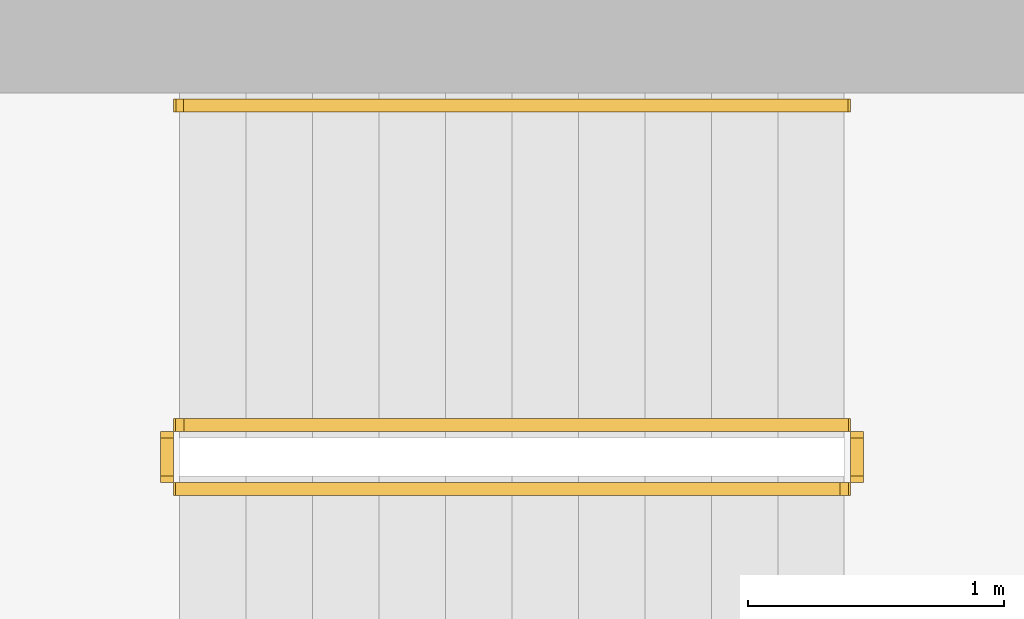
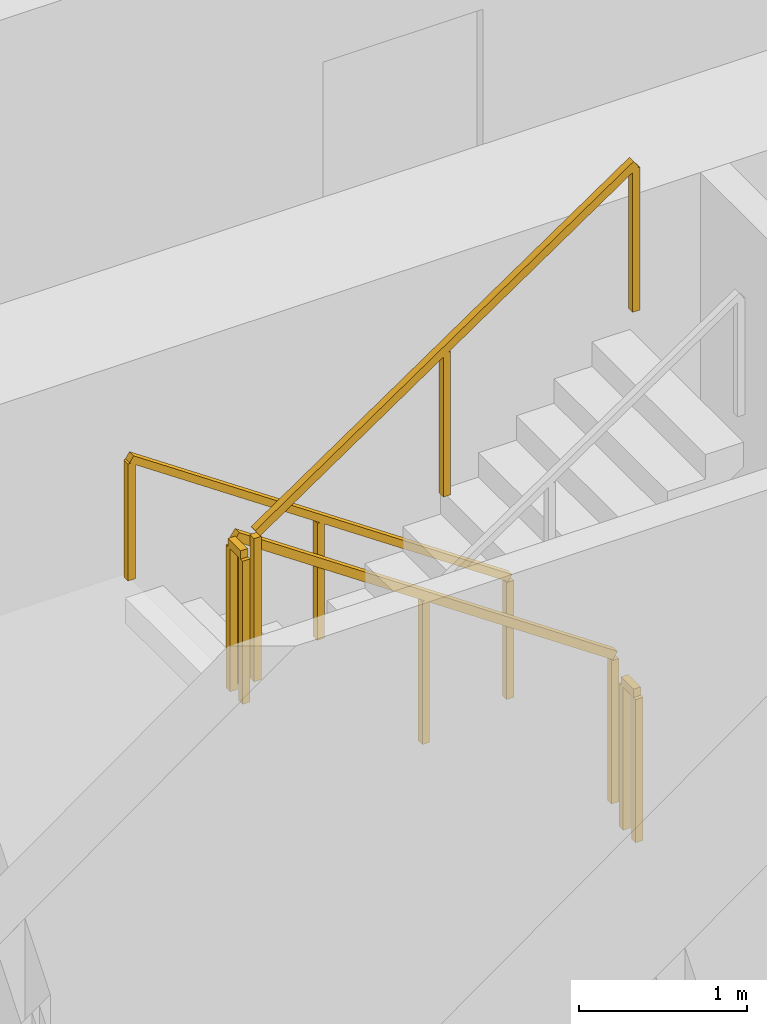
# One storey, part 14 of 15: 5 railings.
"""IFC4 building model written with IfcOpenShell, lengths in metres."""

from ifc_helpers import new_model, si_unit, direction, frame, origin, origin_2d, place, context, subcontext, project, spatial, rectangle, extrude, material, type_object, element, save


model = new_model("IFC4")

# Units and contexts
model_context = context("Model", 3, precision=1e-05, world=origin(), true_north=direction((0.0, 1.0)))
body_context = subcontext(model_context, "Body", "Model", "MODEL_VIEW")
ifc_project = project(units=[si_unit("LENGTHUNIT", "METRE"), si_unit("AREAUNIT", "SQUARE_METRE"), si_unit("VOLUMEUNIT", "CUBIC_METRE"), si_unit("PLANEANGLEUNIT", "RADIAN"), si_unit("MASSUNIT", "GRAM", prefix="KILO")], contexts=[model_context])

# Site, building, storey
site_placement = place(None, origin())
site = spatial("IfcSite", under=ifc_project, at=site_placement, CompositionType="ELEMENT")
building_placement = place(site_placement, origin())
building = spatial("IfcBuilding", under=site, at=building_placement, Name="Khepri Terraces", CompositionType="ELEMENT")
storey_placement = place(building_placement, frame((0.0, 0.0, 30.89990234375)))
storey = spatial("IfcBuildingStorey", under=building, at=storey_placement, Name="L06", CompositionType="ELEMENT", Elevation=30.89990234375)

# Railings
ifc_material = material(Name="Stainless steel 316", Category="steel")
railing_type_1 = type_object("IfcRailingType", Name="RL-CORE-GUARD", PredefinedType="GUARDRAIL", material=ifc_material)
railing_1_placement = place(storey_placement, frame((-0.25, 8.800048828125, 0.177490234375)))
element("IfcRailing", 1, at=railing_1_placement, inside=storey, type_object=railing_type_1, Name="L06 ST-3 stair guard 1", PredefinedType="GUARDRAIL", context=body_context, shape_type="SweptSolid", body=[
    extrude(rectangle(XDim=0.050048828125, YDim=0.06005859375, at=origin_2d()), frame((0.0, 0.0, 1.070068359375), z_axis=(-0.826240473404, 0.0, 0.563317565952), x_axis=(0.0, -1.0, 0.0)), (0.0, 0.0, 1.0), 3.14697265625),
    extrude(rectangle(XDim=0.050048828125, YDim=0.050048828125, at=origin_2d()), origin(), (0.0, 0.0, 1.0), 1.0400390625),
    extrude(rectangle(XDim=0.050048828125, YDim=0.050048828125, at=origin_2d()), frame((-1.300048828125, 0.0, 0.88623046875)), (0.0, 0.0, 1.0), 1.0400390625),
    extrude(rectangle(XDim=0.050048828125, YDim=0.050048828125, at=origin_2d()), frame((-2.60009765625, 0.0, 1.772705078125)), (0.0, 0.0, 1.0), 1.0400390625),
])
railing_2_placement = place(storey_placement, frame((-2.89990234375, 8.75, 1.9501953125)))
element("IfcRailing", 2, at=railing_2_placement, inside=storey, type_object=railing_type_1, Name="L06 ST-3 stair guard 2", PredefinedType="GUARDRAIL", context=body_context, shape_type="SweptSolid", body=[
    extrude(rectangle(XDim=0.050048828125, YDim=0.06005859375, at=origin_2d()), frame((0.0, 0.0, 1.070068359375), z_axis=(0.0, -1.0, 0.0), x_axis=(1.0, 0.0, 0.0)), (0.0, 0.0, 1.0), 0.14990234375),
    extrude(rectangle(XDim=0.050048828125, YDim=0.050048828125, at=origin_2d()), origin(), (0.0, 0.0, 1.0), 1.0400390625),
    extrude(rectangle(XDim=0.050048828125, YDim=0.050048828125, at=origin_2d()), frame((0.0, -0.14990234375, 0.0)), (0.0, 0.0, 1.0), 1.0400390625),
])
railing_3_placement = place(storey_placement, frame((-2.85009765625, 8.550048828125, 2.12744140625)))
element("IfcRailing", 3, at=railing_3_placement, inside=storey, type_object=railing_type_1, Name="L06 ST-3 stair guard 3", PredefinedType="GUARDRAIL", context=body_context, shape_type="SweptSolid", body=[
    extrude(rectangle(XDim=0.050048828125, YDim=0.06005859375, at=origin_2d()), frame((0.0, 0.0, 1.070068359375), z_axis=(0.826240473404, 0.0, 0.563317565952), x_axis=(0.0, 1.0, 0.0)), (0.0, 0.0, 1.0), 3.14697265625),
    extrude(rectangle(XDim=0.050048828125, YDim=0.050048828125, at=origin_2d()), origin(), (0.0, 0.0, 1.0), 1.0400390625),
    extrude(rectangle(XDim=0.050048828125, YDim=0.050048828125, at=origin_2d()), frame((1.300048828125, 0.0, 0.88623046875)), (0.0, 0.0, 1.0), 1.0400390625),
    extrude(rectangle(XDim=0.050048828125, YDim=0.050048828125, at=origin_2d()), frame((2.60009765625, 0.0, 1.772705078125)), (0.0, 0.0, 1.0), 1.0400390625),
])
railing_4_placement = place(storey_placement, frame((-0.199951171875, 8.75, 0.0)))
element("IfcRailing", 4, at=railing_4_placement, inside=storey, type_object=railing_type_1, Name="L06 ST-3 stair guard 4", PredefinedType="GUARDRAIL", context=body_context, shape_type="SweptSolid", body=[
    extrude(rectangle(XDim=0.050048828125, YDim=0.06005859375, at=origin_2d()), frame((0.0, 0.0, 1.070068359375), z_axis=(0.0, -1.0, 0.0), x_axis=(1.0, 0.0, 0.0)), (0.0, 0.0, 1.0), 0.14990234375),
    extrude(rectangle(XDim=0.050048828125, YDim=0.050048828125, at=origin_2d()), origin(), (0.0, 0.0, 1.0), 1.0400390625),
    extrude(rectangle(XDim=0.050048828125, YDim=0.050048828125, at=origin_2d()), frame((0.0, -0.14990234375, 0.0)), (0.0, 0.0, 1.0), 1.0400390625),
])
railing_type_2 = type_object("IfcRailingType", Name="RL-CORE-HANDRAIL", PredefinedType="HANDRAIL", material=ifc_material)
railing_5_placement = place(storey_placement, frame((-0.25, 10.050048828125, 0.177490234375)))
element("IfcRailing", 5, at=railing_5_placement, inside=storey, type_object=railing_type_2, Name="L06 ST-3 stair handrail 1", PredefinedType="HANDRAIL", context=body_context, shape_type="SweptSolid", body=[
    extrude(rectangle(XDim=0.050048828125, YDim=0.050048828125, at=origin_2d()), frame((0.0, 0.0, 0.875), z_axis=(-0.826240473404, 0.0, 0.563317565952), x_axis=(0.0, -1.0, 0.0)), (0.0, 0.0, 1.0), 3.14697265625),
    extrude(rectangle(XDim=0.050048828125, YDim=0.050048828125, at=origin_2d()), origin(), (0.0, 0.0, 1.0), 0.849853515625),
    extrude(rectangle(XDim=0.050048828125, YDim=0.050048828125, at=origin_2d()), frame((-1.300048828125, 0.0, 0.88623046875)), (0.0, 0.0, 1.0), 0.849853515625),
    extrude(rectangle(XDim=0.050048828125, YDim=0.050048828125, at=origin_2d()), frame((-2.60009765625, 0.0, 1.772705078125)), (0.0, 0.0, 1.0), 0.849853515625),
])

save(model, "model.ifc")
